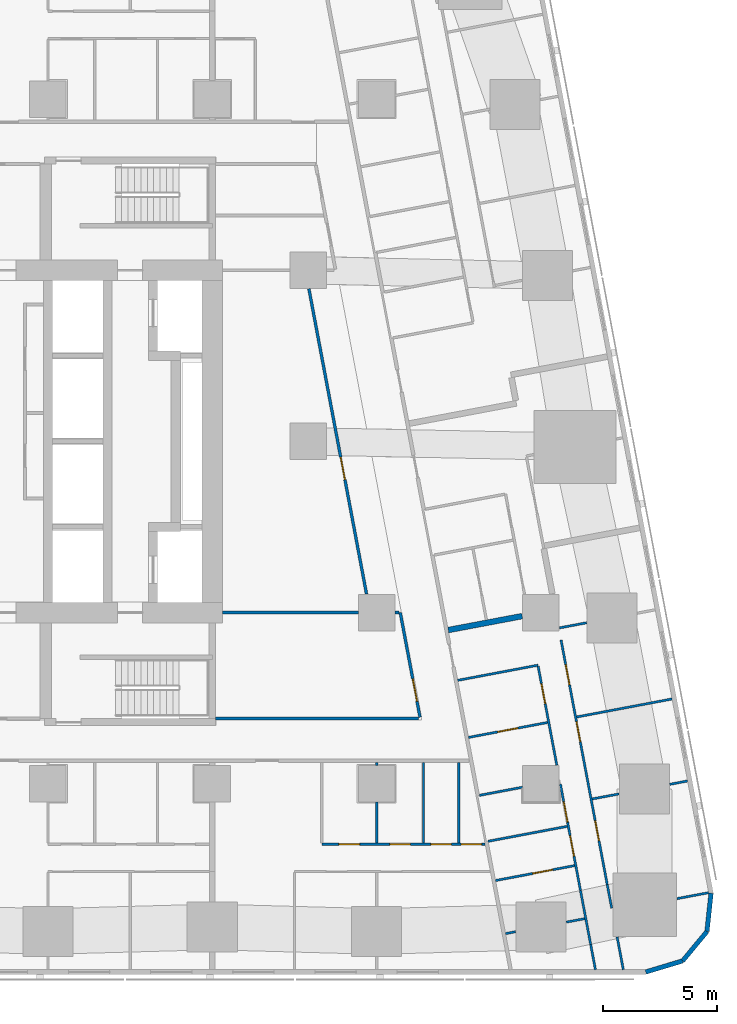
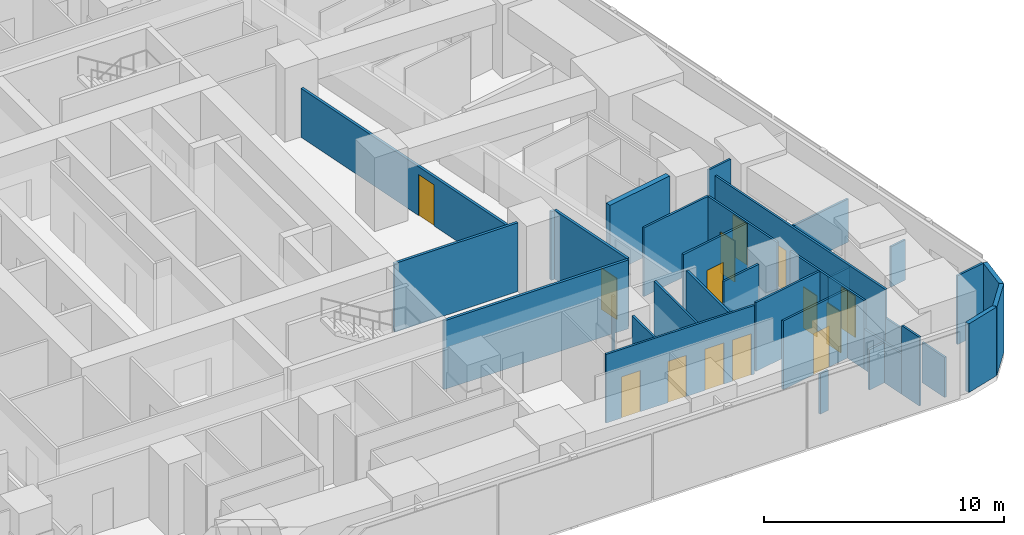
# One storey, part 7 of 17: 33 walls, 14 doors, 14 openings.
"""IFC4 building model written with IfcOpenShell, lengths in metres."""

from ifc_helpers import new_model, si_unit, direction, frame, frame_2d, origin, place, context, subcontext, project, spatial, rectangle, extrude, material, layer, layer_set, type_object, element, fill, save


model = new_model("IFC4")

# Units and contexts
model_context = context("Model", 3, precision=1e-05, world=origin(), true_north=direction((0.0, 1.0)))
body_context = subcontext(model_context, "Body", "Model", "MODEL_VIEW")
ifc_project = project(units=[si_unit("LENGTHUNIT", "METRE"), si_unit("AREAUNIT", "SQUARE_METRE"), si_unit("VOLUMEUNIT", "CUBIC_METRE"), si_unit("PLANEANGLEUNIT", "RADIAN"), si_unit("MASSUNIT", "GRAM", prefix="KILO")], contexts=[model_context])

# Site, building, storey
site_placement = place(None, origin())
site = spatial("IfcSite", under=ifc_project, at=site_placement, CompositionType="ELEMENT")
building_placement = place(site_placement, origin())
building = spatial("IfcBuilding", under=site, at=building_placement, Name="Sheger Commons Tower", CompositionType="ELEMENT")
storey_placement = place(building_placement, frame((0.0, 0.0, 119.14990234375)))
storey = spatial("IfcBuildingStorey", under=building, at=storey_placement, Name="L30", CompositionType="ELEMENT", Elevation=119.14990234375)

# Walls
ifc_material_1 = material(Name="Dense concrete block masonry, plastered both sides (separating wall between flats)", Category="masonry")
ifc_layer_1 = layer(ifc_material_1, 0.25)
ifc_layer_set_1 = layer_set([ifc_layer_1], Name="DEMISING WALL 250")
wall_type_1 = type_object("IfcWallType", Name="DEMISING WALL 250", PredefinedType="SOLIDWALL", material=ifc_layer_set_1)
wall_1_placement = place(storey_placement, frame((42.3759765625, 14.843994140625, 0.0), z_axis=(0.0, 0.0, 1.0), x_axis=(-0.982610440948, -0.18567908159, 0.0)))
element("IfcWall", 1, at=wall_1_placement, inside=storey, type_object=wall_type_1, Name="Demising wall L30", PredefinedType="SOLIDWALL", context=body_context, shape_type="SweptSolid", body=[
    extrude(rectangle(XDim=3.29638671875, YDim=0.25, at=frame_2d((1.648193359375, 0.0))), origin(), (0.0, 0.0, 1.0), 3.5),
])
ifc_material_2 = material(Name="Rendered concrete block masonry, dark grey", Category="masonry")
ifc_layer_2 = layer(ifc_material_2, 0.199951171875)
ifc_layer_set_2 = layer_set([ifc_layer_2], Name="FACADE WALL 200")
wall_type_2 = type_object("IfcWallType", Name="FACADE WALL 200", PredefinedType="SOLIDWALL", material=ifc_layer_set_2)
wall_2_placement = place(storey_placement, frame((47.791015625, -0.75, 0.0), z_axis=(0.0, 0.0, 1.0), x_axis=(0.957455232626, 0.288581838509, 0.0)))
element("IfcWall", 2, at=wall_2_placement, inside=storey, type_object=wall_type_2, Name="Facade wall L30", PredefinedType="SOLIDWALL", context=body_context, shape_type="SweptSolid", body=[
    extrude(rectangle(XDim=1.687744140625, YDim=0.199951171875, at=frame_2d((0.84375, 0.0))), origin(), (0.0, 0.0, 1.0), 3.5),
])
wall_3_placement = place(storey_placement, frame((49.406982421875, -0.262939453125, 0.0), z_axis=(0.0, 0.0, 1.0), x_axis=(0.638042593423, 0.770001070764, 0.0)))
element("IfcWall", 3, at=wall_3_placement, inside=storey, type_object=wall_type_2, Name="Facade wall L30", PredefinedType="SOLIDWALL", context=body_context, shape_type="SweptSolid", body=[
    extrude(rectangle(XDim=1.672607421875, YDim=0.199951171875, at=frame_2d((0.83642578125, 0.0))), origin(), (0.0, 0.0, 1.0), 3.5),
])
wall_4_placement = place(storey_placement, frame((50.47412109375, 1.02490234375, 0.0), z_axis=(0.0, 0.0, 1.0), x_axis=(0.106047815515, 0.994361031429, 0.0)))
element("IfcWall", 4, at=wall_4_placement, inside=storey, type_object=wall_type_2, Name="Facade wall L30", PredefinedType="SOLIDWALL", context=body_context, shape_type="SweptSolid", body=[
    extrude(rectangle(XDim=1.6875, YDim=0.199951171875, at=frame_2d((0.84375, 0.0))), origin(), (0.0, 0.0, 1.0), 3.5),
])

# Wall, openings, doors
ifc_material_3 = material(Name="Gypsum board on steel studs", Category="steel")
ifc_layer_3 = layer(ifc_material_3, 0.10009765625)
ifc_layer_set_3 = layer_set([ifc_layer_3], Name="PARTITION 100")
wall_type_3 = type_object("IfcWallType", Name="PARTITION 100", PredefinedType="PARTITIONING", material=ifc_layer_set_3)
wall_5_placement = place(storey_placement, frame((40.7470703125, 4.85009765625, 0.0), z_axis=(0.0, 0.0, 1.0), x_axis=(-1.0, 0.0, 0.0)))
wall_5 = element("IfcWall", 5, at=wall_5_placement, inside=storey, type_object=wall_type_3, Name="Partition L30", PredefinedType="PARTITIONING", context=body_context, shape_type="SweptSolid", body=[
    extrude(rectangle(XDim=7.14794921875, YDim=0.10009765625, at=frame_2d((3.573974609375, 0.0))), origin(), (0.0, 0.0, 1.0), 3.5),
])
opening_1_placement = place(wall_5_placement, frame((5.498046875, 0.0, 0.0)))
opening_1 = element("IfcOpeningElement", 6, at=opening_1_placement, cuts=wall_5, Name="Opening D2", PredefinedType="OPENING", context=body_context, shape_type="SweptSolid", body=[
    extrude(rectangle(XDim=0.89990234375, YDim=2.10009765625, at=frame_2d((0.449951171875, 1.050048828125))), frame((0.0, 0.06005859375, 0.0), z_axis=(0.0, -1.0, 0.0), x_axis=(1.0, 0.0, 0.0)), (0.0, 0.0, 1.0), 0.1201171875),
])
opening_2_placement = place(wall_5_placement, frame((3.27197265625, 0.0, 0.0)))
opening_2 = element("IfcOpeningElement", 7, at=opening_2_placement, cuts=wall_5, Name="Opening D2", PredefinedType="OPENING", context=body_context, shape_type="SweptSolid", body=[
    extrude(rectangle(XDim=0.89990234375, YDim=2.10009765625, at=frame_2d((0.449951171875, 1.050048828125))), frame((0.0, 0.06005859375, 0.0), z_axis=(0.0, -1.0, 0.0), x_axis=(1.0, 0.0, 0.0)), (0.0, 0.0, 1.0), 0.1201171875),
])
opening_3_placement = place(wall_5_placement, frame((0.14990234375, 0.0, 0.0)))
opening_3 = element("IfcOpeningElement", 8, at=opening_3_placement, cuts=wall_5, Name="Opening D2", PredefinedType="OPENING", context=body_context, shape_type="SweptSolid", body=[
    extrude(rectangle(XDim=0.89990234375, YDim=2.10009765625, at=frame_2d((0.449951171875, 1.050048828125))), frame((0.0, 0.06005859375, 0.0), z_axis=(0.0, -1.0, 0.0), x_axis=(1.0, 0.0, 0.0)), (0.0, 0.0, 1.0), 0.1201171875),
])
opening_4_placement = place(wall_5_placement, frame((1.471923828125, 0.0, 0.0)))
opening_4 = element("IfcOpeningElement", 9, at=opening_4_placement, cuts=wall_5, Name="Opening D2", PredefinedType="OPENING", context=body_context, shape_type="SweptSolid", body=[
    extrude(rectangle(XDim=0.89990234375, YDim=2.10009765625, at=frame_2d((0.449951171875, 1.050048828125))), frame((0.0, 0.06005859375, 0.0), z_axis=(0.0, -1.0, 0.0), x_axis=(1.0, 0.0, 0.0)), (0.0, 0.0, 1.0), 0.1201171875),
])
ifc_material_4 = material(Name="Timber door set", Category="wood")
door_type_1 = type_object("IfcDoorType", Name="INTERNAL DOOR 900x2100", OperationType="NOTDEFINED", PredefinedType="DOOR", material=ifc_material_4)
door_1_placement = place(opening_1_placement, origin())
door_1 = element("IfcDoor", 10, at=door_1_placement, inside=storey, type_object=door_type_1, Name="Laundry room door", OperationType="SINGLE_SWING_LEFT", OverallHeight=2.10009765625, OverallWidth=0.89990234375, PredefinedType="DOOR", context=body_context, shape_type="SweptSolid", body=[
    extrude(rectangle(XDim=0.89990234375, YDim=2.10009765625, at=frame_2d((0.449951171875, 1.050048828125))), frame((0.0, 0.02490234375, 0.0), z_axis=(0.0, -1.0, 0.0), x_axis=(1.0, 0.0, 0.0)), (0.0, 0.0, 1.0), 0.050048828125),
])
fill(opening_1, door_1)
door_2_placement = place(opening_2_placement, origin())
door_2 = element("IfcDoor", 11, at=door_2_placement, inside=storey, type_object=door_type_1, Name="Bathroom door", OperationType="SINGLE_SWING_LEFT", OverallHeight=2.10009765625, OverallWidth=0.89990234375, PredefinedType="DOOR", context=body_context, shape_type="SweptSolid", body=[
    extrude(rectangle(XDim=0.89990234375, YDim=2.10009765625, at=frame_2d((0.449951171875, 1.050048828125))), frame((0.0, 0.02490234375, 0.0), z_axis=(0.0, -1.0, 0.0), x_axis=(1.0, 0.0, 0.0)), (0.0, 0.0, 1.0), 0.050048828125),
])
fill(opening_2, door_2)
door_3_placement = place(opening_3_placement, origin())
door_3 = element("IfcDoor", 12, at=door_3_placement, inside=storey, type_object=door_type_1, Name="Laundry room door", OperationType="SINGLE_SWING_RIGHT", OverallHeight=2.10009765625, OverallWidth=0.89990234375, PredefinedType="DOOR", context=body_context, shape_type="SweptSolid", body=[
    extrude(rectangle(XDim=0.89990234375, YDim=2.10009765625, at=frame_2d((0.449951171875, 1.050048828125))), frame((0.0, 0.02490234375, 0.0), z_axis=(0.0, -1.0, 0.0), x_axis=(1.0, 0.0, 0.0)), (0.0, 0.0, 1.0), 0.050048828125),
])
fill(opening_3, door_3)
door_4_placement = place(opening_4_placement, origin())
door_4 = element("IfcDoor", 13, at=door_4_placement, inside=storey, type_object=door_type_1, Name="Store door", OperationType="SINGLE_SWING_RIGHT", OverallHeight=2.10009765625, OverallWidth=0.89990234375, PredefinedType="DOOR", context=body_context, shape_type="SweptSolid", body=[
    extrude(rectangle(XDim=0.89990234375, YDim=2.10009765625, at=frame_2d((0.449951171875, 1.050048828125))), frame((0.0, 0.02490234375, 0.0), z_axis=(0.0, -1.0, 0.0), x_axis=(1.0, 0.0, 0.0)), (0.0, 0.0, 1.0), 0.050048828125),
])
fill(opening_4, door_4)

# Walls
wall_6_placement = place(storey_placement, frame((36.0, 4.89990234375, 0.0), z_axis=(0.0, 0.0, 1.0), x_axis=(0.0, 1.0, 0.0)))
element("IfcWall", 14, at=wall_6_placement, inside=storey, type_object=wall_type_3, Name="Partition L30", PredefinedType="PARTITIONING", context=body_context, shape_type="SweptSolid", body=[
    extrude(rectangle(XDim=1.799072265625, YDim=0.10009765625, at=frame_2d((0.8994140625, 0.0))), origin(), (0.0, 0.0, 1.0), 3.5),
])
wall_7_placement = place(storey_placement, frame((36.0, 8.301025390625, 0.0), z_axis=(0.0, 0.0, 1.0), x_axis=(0.0, 1.0, 0.0)))
element("IfcWall", 15, at=wall_7_placement, inside=storey, type_object=wall_type_3, Name="Partition L30", PredefinedType="PARTITIONING", context=body_context, shape_type="SweptSolid", body=[
    extrude(rectangle(XDim=0.1240234375, YDim=0.10009765625, at=frame_2d((0.06201171875, 0.0))), origin(), (0.0, 0.0, 1.0), 3.5),
])
for number, where, z_axis, x_axis, name in (
    (16, (39.60009765625, 4.89990234375, 0.0), (0.0, 0.0, 1.0), (0.0, 1.0, 0.0), "Partition L30"),
    (17, (38.050048828125, 4.89990234375, 0.0), (0.0, 0.0, 1.0), (0.0, 1.0, 0.0), "Partition L30"),
):
    element("IfcWall", number, at=place(storey_placement, frame(where, z_axis=z_axis, x_axis=x_axis)), inside=storey, type_object=wall_type_3, Name=name, PredefinedType="PARTITIONING", context=body_context, shape_type="SweptSolid", body=[
        extrude(rectangle(XDim=3.525146484375, YDim=0.10009765625, at=frame_2d((1.7626953125, 0.0))), origin(), (0.0, 0.0, 1.0), 3.5),
    ])

# Wall, openings, doors
wall_8_placement = place(storey_placement, frame((44.080078125, 13.7939453125, 0.0), z_axis=(0.0, 0.0, 1.0), x_axis=(0.185608455357, -0.982623784212, 0.0)))
wall_8 = element("IfcWall", 18, at=wall_8_placement, inside=storey, type_object=wall_type_3, Name="Partition L30", PredefinedType="PARTITIONING", context=body_context, shape_type="SweptSolid", body=[
    extrude(rectangle(XDim=10.909423828125, YDim=0.10009765625, at=frame_2d((5.45458984375, 0.0))), origin(), (0.0, 0.0, 1.0), 3.5),
])
opening_5_placement = place(wall_8_placement, frame((1.093994140625, 0.0, 0.0)))
opening_5 = element("IfcOpeningElement", 19, at=opening_5_placement, cuts=wall_8, Name="Opening D2", PredefinedType="OPENING", context=body_context, shape_type="SweptSolid", body=[
    extrude(rectangle(XDim=0.89990234375, YDim=2.10009765625, at=frame_2d((0.449951171875, 1.050048828125))), frame((0.0, 0.06005859375, 0.0), z_axis=(0.0, -1.0, 0.0), x_axis=(1.0, 0.0, 0.0)), (0.0, 0.0, 1.0), 0.1201171875),
])
opening_6_placement = place(wall_8_placement, frame((3.638916015625, 0.0, 0.0)))
opening_6 = element("IfcOpeningElement", 20, at=opening_6_placement, cuts=wall_8, Name="Opening D2", PredefinedType="OPENING", context=body_context, shape_type="SweptSolid", body=[
    extrude(rectangle(XDim=0.89990234375, YDim=2.10009765625, at=frame_2d((0.449951171875, 1.050048828125))), frame((0.0, 0.06005859375, 0.0), z_axis=(0.0, -1.0, 0.0), x_axis=(1.0, 0.0, 0.0)), (0.0, 0.0, 1.0), 0.1201171875),
])
opening_7_placement = place(wall_8_placement, frame((8.050048828125, 0.0, 0.0)))
opening_7 = element("IfcOpeningElement", 21, at=opening_7_placement, cuts=wall_8, Name="Opening D2", PredefinedType="OPENING", context=body_context, shape_type="SweptSolid", body=[
    extrude(rectangle(XDim=0.89990234375, YDim=2.10009765625, at=frame_2d((0.449951171875, 1.050048828125))), frame((0.0, 0.06005859375, 0.0), z_axis=(0.0, -1.0, 0.0), x_axis=(1.0, 0.0, 0.0)), (0.0, 0.0, 1.0), 0.1201171875),
])
door_5_placement = place(opening_5_placement, origin())
door_5 = element("IfcDoor", 22, at=door_5_placement, inside=storey, type_object=door_type_1, Name="Main bedroom door", OperationType="SINGLE_SWING_LEFT", OverallHeight=2.10009765625, OverallWidth=0.89990234375, PredefinedType="DOOR", context=body_context, shape_type="SweptSolid", body=[
    extrude(rectangle(XDim=0.89990234375, YDim=2.10009765625, at=frame_2d((0.449951171875, 1.050048828125))), frame((0.0, 0.02490234375, 0.0), z_axis=(0.0, -1.0, 0.0), x_axis=(1.0, 0.0, 0.0)), (0.0, 0.0, 1.0), 0.050048828125),
])
fill(opening_5, door_5)
door_6_placement = place(opening_6_placement, origin())
door_6 = element("IfcDoor", 23, at=door_6_placement, inside=storey, type_object=door_type_1, Name="Bedroom 2 door", OperationType="SINGLE_SWING_LEFT", OverallHeight=2.10009765625, OverallWidth=0.89990234375, PredefinedType="DOOR", context=body_context, shape_type="SweptSolid", body=[
    extrude(rectangle(XDim=0.89990234375, YDim=2.10009765625, at=frame_2d((0.449951171875, 1.050048828125))), frame((0.0, 0.02490234375, 0.0), z_axis=(0.0, -1.0, 0.0), x_axis=(1.0, 0.0, 0.0)), (0.0, 0.0, 1.0), 0.050048828125),
])
fill(opening_6, door_6)
door_7_placement = place(opening_7_placement, origin())
door_7 = element("IfcDoor", 24, at=door_7_placement, inside=storey, type_object=door_type_1, Name="Bedroom 3 door", OperationType="SINGLE_SWING_LEFT", OverallHeight=2.10009765625, OverallWidth=0.89990234375, PredefinedType="DOOR", context=body_context, shape_type="SweptSolid", body=[
    extrude(rectangle(XDim=0.89990234375, YDim=2.10009765625, at=frame_2d((0.449951171875, 1.050048828125))), frame((0.0, 0.02490234375, 0.0), z_axis=(0.0, -1.0, 0.0), x_axis=(1.0, 0.0, 0.0)), (0.0, 0.0, 1.0), 0.050048828125),
])
fill(opening_7, door_7)

# Walls
wall_9_placement = place(storey_placement, frame((46.10498046875, 3.073974609375, 0.0), z_axis=(0.0, 0.0, 1.0), x_axis=(0.185727077805, -0.982601370124, 0.0)))
element("IfcWall", 25, at=wall_9_placement, inside=storey, type_object=wall_type_3, Name="Partition L30", PredefinedType="PARTITIONING", context=body_context, shape_type="SweptSolid", body=[
    extrude(rectangle(XDim=1.044921875, YDim=0.10009765625, at=frame_2d((0.5224609375, 0.0))), origin(), (0.0, 0.0, 1.0), 2.050048828125),
])
wall_10_placement = place(storey_placement, frame((46.537109375, 0.787109375, 0.0), z_axis=(0.0, 0.0, 1.0), x_axis=(0.1853166059, -0.982678866964, 0.0)))
element("IfcWall", 26, at=wall_10_placement, inside=storey, type_object=wall_type_3, Name="Partition L30", PredefinedType="PARTITIONING", context=body_context, shape_type="SweptSolid", body=[
    extrude(rectangle(XDim=1.46240234375, YDim=0.10009765625, at=frame_2d((0.731201171875, 0.0))), origin(), (0.0, 0.0, 1.0), 2.050048828125),
])

# Wall, opening, door
wall_11_placement = place(storey_placement, frame((43.075927734375, 12.64404296875, 0.0), z_axis=(0.0, 0.0, 1.0), x_axis=(0.185705350074, -0.982605476757, 0.0)))
wall_11 = element("IfcWall", 27, at=wall_11_placement, inside=storey, type_object=wall_type_3, Name="Partition L30", PredefinedType="PARTITIONING", context=body_context, shape_type="SweptSolid", body=[
    extrude(rectangle(XDim=4.41064453125, YDim=0.10009765625, at=frame_2d((2.205322265625, 0.0))), origin(), (0.0, 0.0, 1.0), 3.5),
])
opening_8_placement = place(wall_11_placement, frame((0.77294921875, 0.0, 0.0)))
opening_8 = element("IfcOpeningElement", 28, at=opening_8_placement, cuts=wall_11, Name="Opening D2", PredefinedType="OPENING", context=body_context, shape_type="SweptSolid", body=[
    extrude(rectangle(XDim=0.89990234375, YDim=2.10009765625, at=frame_2d((0.449951171875, 1.050048828125))), frame((0.0, 0.06005859375, 0.0), z_axis=(0.0, -1.0, 0.0), x_axis=(1.0, 0.0, 0.0)), (0.0, 0.0, 1.0), 0.1201171875),
])
door_8_placement = place(opening_8_placement, origin())
door_8 = element("IfcDoor", 29, at=door_8_placement, inside=storey, type_object=door_type_1, Name="Store and laundry door", OperationType="SINGLE_SWING_RIGHT", OverallHeight=2.10009765625, OverallWidth=0.89990234375, PredefinedType="DOOR", context=body_context, shape_type="SweptSolid", body=[
    extrude(rectangle(XDim=0.89990234375, YDim=2.10009765625, at=frame_2d((0.449951171875, 1.050048828125))), frame((0.0, 0.02490234375, 0.0), z_axis=(0.0, -1.0, 0.0), x_axis=(1.0, 0.0, 0.0)), (0.0, 0.0, 1.0), 0.050048828125),
])
fill(opening_8, door_8)

# Wall, openings, doors
wall_12_placement = place(storey_placement, frame((44.049072265625, 7.490966796875, 0.0), z_axis=(0.0, 0.0, 1.0), x_axis=(0.185628828844, -0.982619935632, 0.0)))
wall_12 = element("IfcWall", 30, at=wall_12_placement, inside=storey, type_object=wall_type_3, Name="Partition L30", PredefinedType="PARTITIONING", context=body_context, shape_type="SweptSolid", body=[
    extrude(rectangle(XDim=4.75048828125, YDim=0.10009765625, at=frame_2d((2.375244140625, 0.0))), origin(), (0.0, 0.0, 1.0), 3.5),
])
opening_9_placement = place(wall_12_placement, frame((0.800048828125, 0.0, 0.0)))
opening_9 = element("IfcOpeningElement", 31, at=opening_9_placement, cuts=wall_12, Name="Opening D2", PredefinedType="OPENING", context=body_context, shape_type="SweptSolid", body=[
    extrude(rectangle(XDim=0.89990234375, YDim=2.10009765625, at=frame_2d((0.449951171875, 1.050048828125))), frame((0.0, 0.06005859375, 0.0), z_axis=(0.0, -1.0, 0.0), x_axis=(1.0, 0.0, 0.0)), (0.0, 0.0, 1.0), 0.1201171875),
])
opening_10_placement = place(wall_12_placement, frame((2.31591796875, 0.0, 0.0)))
opening_10 = element("IfcOpeningElement", 32, at=opening_10_placement, cuts=wall_12, Name="Opening D2", PredefinedType="OPENING", context=body_context, shape_type="SweptSolid", body=[
    extrude(rectangle(XDim=0.89990234375, YDim=2.10009765625, at=frame_2d((0.449951171875, 1.050048828125))), frame((0.0, 0.06005859375, 0.0), z_axis=(0.0, -1.0, 0.0), x_axis=(1.0, 0.0, 0.0)), (0.0, 0.0, 1.0), 0.1201171875),
])
door_9_placement = place(opening_9_placement, origin())
door_9 = element("IfcDoor", 33, at=door_9_placement, inside=storey, type_object=door_type_1, Name="Bathroom door", OperationType="SINGLE_SWING_LEFT", OverallHeight=2.10009765625, OverallWidth=0.89990234375, PredefinedType="DOOR", context=body_context, shape_type="SweptSolid", body=[
    extrude(rectangle(XDim=0.89990234375, YDim=2.10009765625, at=frame_2d((0.449951171875, 1.050048828125))), frame((0.0, 0.02490234375, 0.0), z_axis=(0.0, -1.0, 0.0), x_axis=(1.0, 0.0, 0.0)), (0.0, 0.0, 1.0), 0.050048828125),
])
fill(opening_9, door_9)
door_10_placement = place(opening_10_placement, origin())
door_10 = element("IfcDoor", 34, at=door_10_placement, inside=storey, type_object=door_type_1, Name="Store door", OperationType="SINGLE_SWING_RIGHT", OverallHeight=2.10009765625, OverallWidth=0.89990234375, PredefinedType="DOOR", context=body_context, shape_type="SweptSolid", body=[
    extrude(rectangle(XDim=0.89990234375, YDim=2.10009765625, at=frame_2d((0.449951171875, 1.050048828125))), frame((0.0, 0.02490234375, 0.0), z_axis=(0.0, -1.0, 0.0), x_axis=(1.0, 0.0, 0.0)), (0.0, 0.0, 1.0), 0.050048828125),
])
fill(opening_10, door_10)

# Walls
wall_13_placement = place(storey_placement, frame((44.930908203125, 2.822998046875, 0.0), z_axis=(0.0, 0.0, 1.0), x_axis=(0.185631845838, -0.982619365681, 0.0)))
element("IfcWall", 35, at=wall_13_placement, inside=storey, type_object=wall_type_3, Name="Partition L30", PredefinedType="PARTITIONING", context=body_context, shape_type="SweptSolid", body=[
    extrude(rectangle(XDim=2.40283203125, YDim=0.10009765625, at=frame_2d((1.201416015625, 0.0))), origin(), (0.0, 0.0, 1.0), 2.050048828125),
])
wall_14_placement = place(storey_placement, frame((45.376953125, 0.4619140625, 0.0), z_axis=(0.0, 0.0, 1.0), x_axis=(0.185565106588, -0.9826319714, 0.0)))
element("IfcWall", 36, at=wall_14_placement, inside=storey, type_object=wall_type_3, Name="Partition L30", PredefinedType="PARTITIONING", context=body_context, shape_type="SweptSolid", body=[
    extrude(rectangle(XDim=1.13134765625, YDim=0.10009765625, at=frame_2d((0.565673828125, 0.0))), origin(), (0.0, 0.0, 1.0), 3.5),
])
wall_15_placement = place(storey_placement, frame((45.2041015625, 14.552978515625, 0.0), z_axis=(0.0, 0.0, 1.0), x_axis=(-0.982545444659, -0.186022711461, 0.0)))
element("IfcWall", 37, at=wall_15_placement, inside=storey, type_object=wall_type_3, Name="Partition L30", PredefinedType="PARTITIONING", context=body_context, shape_type="SweptSolid", body=[
    extrude(rectangle(XDim=1.21533203125, YDim=0.10009765625, at=frame_2d((0.607666015625, 0.0))), origin(), (0.0, 0.0, 1.0), 3.5),
])
wall_16_placement = place(storey_placement, frame((48.943115234375, 11.212890625, 0.0), z_axis=(0.0, 0.0, 1.0), x_axis=(-0.982623519589, -0.185609856287, 0.0)))
element("IfcWall", 38, at=wall_16_placement, inside=storey, type_object=wall_type_3, Name="Partition L30", PredefinedType="PARTITIONING", context=body_context, shape_type="SweptSolid", body=[
    extrude(rectangle(XDim=4.249755859375, YDim=0.10009765625, at=frame_2d((2.125, 0.0))), origin(), (0.0, 0.0, 1.0), 2.2001953125),
])
wall_17_placement = place(storey_placement, frame((49.6220703125, 7.6201171875, 0.0), z_axis=(0.0, 0.0, 1.0), x_axis=(-0.982512656401, -0.186195810938, 0.0)))
element("IfcWall", 39, at=wall_17_placement, inside=storey, type_object=wall_type_3, Name="Partition L30", PredefinedType="PARTITIONING", context=body_context, shape_type="SweptSolid", body=[
    extrude(rectangle(XDim=0.7958984375, YDim=0.10009765625, at=frame_2d((0.39794921875, 0.0))), origin(), (0.0, 0.0, 1.0), 2.050048828125),
])
wall_18_placement = place(storey_placement, frame((46.6201171875, 7.052978515625, 0.0), z_axis=(0.0, 0.0, 1.0), x_axis=(-0.982749355621, -0.18494243436, 0.0)))
element("IfcWall", 40, at=wall_18_placement, inside=storey, type_object=wall_type_3, Name="Partition L30", PredefinedType="PARTITIONING", context=body_context, shape_type="SweptSolid", body=[
    extrude(rectangle(XDim=1.194580078125, YDim=0.10009765625, at=frame_2d((0.59716796875, 0.0))), origin(), (0.0, 0.0, 1.0), 2.050048828125),
])
wall_19_placement = place(storey_placement, frame((50.547119140625, 2.72607421875, 0.0), z_axis=(0.0, 0.0, 1.0), x_axis=(-0.982680053146, -0.185310315822, 0.0)))
element("IfcWall", 41, at=wall_19_placement, inside=storey, type_object=wall_type_3, Name="Partition L30", PredefinedType="PARTITIONING", context=body_context, shape_type="SweptSolid", body=[
    extrude(rectangle(XDim=1.41357421875, YDim=0.10009765625, at=frame_2d((0.706787109375, 0.0))), origin(), (0.0, 0.0, 1.0), 3.5),
])
wall_20_placement = place(storey_placement, frame((43.06689453125, 12.693115234375, 0.0), z_axis=(0.0, 0.0, 1.0), x_axis=(-0.982598214409, -0.185743772548, 0.0)))
element("IfcWall", 42, at=wall_20_placement, inside=storey, type_object=wall_type_3, Name="Partition L30", PredefinedType="PARTITIONING", context=body_context, shape_type="SweptSolid", body=[
    extrude(rectangle(XDim=3.5751953125, YDim=0.10009765625, at=frame_2d((1.78759765625, 0.0))), origin(), (0.0, 0.0, 1.0), 3.5),
])

# Wall, opening, door
wall_21_placement = place(storey_placement, frame((43.489990234375, 10.18310546875, 0.0), z_axis=(0.0, 0.0, 1.0), x_axis=(-0.982588017646, -0.185797706064, 0.0)))
wall_21 = element("IfcWall", 43, at=wall_21_placement, inside=storey, type_object=wall_type_3, Name="Partition L30", PredefinedType="PARTITIONING", context=body_context, shape_type="SweptSolid", body=[
    extrude(rectangle(XDim=3.525390625, YDim=0.10009765625, at=frame_2d((1.7626953125, 0.0))), origin(), (0.0, 0.0, 1.0), 3.5),
])
opening_11_placement = place(wall_21_placement, frame((1.324951171875, 0.0, 0.0)))
opening_11 = element("IfcOpeningElement", 44, at=opening_11_placement, cuts=wall_21, Name="Opening D2", PredefinedType="OPENING", context=body_context, shape_type="SweptSolid", body=[
    extrude(rectangle(XDim=0.89990234375, YDim=2.10009765625, at=frame_2d((0.449951171875, 1.050048828125))), frame((0.0, 0.06005859375, 0.0), z_axis=(0.0, -1.0, 0.0), x_axis=(1.0, 0.0, 0.0)), (0.0, 0.0, 1.0), 0.1201171875),
])
door_11_placement = place(opening_11_placement, origin())
door_11 = element("IfcDoor", 45, at=door_11_placement, inside=storey, type_object=door_type_1, Name="Store door", OperationType="SINGLE_SWING_RIGHT", OverallHeight=2.10009765625, OverallWidth=0.89990234375, PredefinedType="DOOR", context=body_context, shape_type="SweptSolid", body=[
    extrude(rectangle(XDim=0.89990234375, YDim=2.10009765625, at=frame_2d((0.449951171875, 1.050048828125))), frame((0.0, 0.02490234375, 0.0), z_axis=(0.0, -1.0, 0.0), x_axis=(1.0, 0.0, 0.0)), (0.0, 0.0, 1.0), 0.050048828125),
])
fill(opening_11, door_11)

# Walls
wall_22_placement = place(storey_placement, frame((42.389892578125, 7.346923828125, 0.0), z_axis=(0.0, 0.0, 1.0), x_axis=(-0.982633642782, -0.185556255819, 0.0)))
element("IfcWall", 46, at=wall_22_placement, inside=storey, type_object=wall_type_3, Name="Partition L30", PredefinedType="PARTITIONING", context=body_context, shape_type="SweptSolid", body=[
    extrude(rectangle(XDim=1.918212890625, YDim=0.10009765625, at=frame_2d((0.958984375, 0.0))), origin(), (0.0, 0.0, 1.0), 3.5),
])
wall_23_placement = place(storey_placement, frame((45.114013671875, 1.5869140625, 0.0), z_axis=(0.0, 0.0, 1.0), x_axis=(-0.982624706348, -0.185603573443, 0.0)))
element("IfcWall", 47, at=wall_23_placement, inside=storey, type_object=wall_type_3, Name="Partition L30", PredefinedType="PARTITIONING", context=body_context, shape_type="SweptSolid", body=[
    extrude(rectangle(XDim=0.818115234375, YDim=0.10009765625, at=frame_2d((0.4091796875, 0.0))), origin(), (0.0, 0.0, 1.0), 2.050048828125),
])
wall_24_placement = place(storey_placement, frame((42.090087890625, 1.014892578125, 0.0), z_axis=(0.0, 0.0, 1.0), x_axis=(-0.982680384557, -0.185308558375, 0.0)))
element("IfcWall", 48, at=wall_24_placement, inside=storey, type_object=wall_type_3, Name="Partition L30", PredefinedType="PARTITIONING", context=body_context, shape_type="SweptSolid", body=[
    extrude(rectangle(XDim=0.447998046875, YDim=0.10009765625, at=frame_2d((0.22412109375, 0.0))), origin(), (0.0, 0.0, 1.0), 2.050048828125),
])
wall_25_placement = place(storey_placement, frame((44.35009765625, 5.631103515625, 0.0), z_axis=(0.0, 0.0, 1.0), x_axis=(-0.982638553676, -0.185530247748, 0.0)))
element("IfcWall", 49, at=wall_25_placement, inside=storey, type_object=wall_type_3, Name="Partition L30", PredefinedType="PARTITIONING", context=body_context, shape_type="SweptSolid", body=[
    extrude(rectangle(XDim=3.525390625, YDim=0.10009765625, at=frame_2d((1.7626953125, 0.0))), origin(), (0.0, 0.0, 1.0), 3.5),
])

# Wall, opening, door
wall_26_placement = place(storey_placement, frame((41.2099609375, 3.258056640625, 0.0), z_axis=(0.0, 0.0, 1.0), x_axis=(0.982638553676, 0.185530247748, 0.0)))
wall_26 = element("IfcWall", 50, at=wall_26_placement, inside=storey, type_object=wall_type_3, Name="Partition L30", PredefinedType="PARTITIONING", context=body_context, shape_type="SweptSolid", body=[
    extrude(rectangle(XDim=3.525390625, YDim=0.10009765625, at=frame_2d((1.7626953125, 0.0))), origin(), (0.0, 0.0, 1.0), 3.5),
])
opening_12_placement = place(wall_26_placement, frame((1.64990234375, 0.0, 0.0)))
opening_12 = element("IfcOpeningElement", 51, at=opening_12_placement, cuts=wall_26, Name="Opening D2", PredefinedType="OPENING", context=body_context, shape_type="SweptSolid", body=[
    extrude(rectangle(XDim=0.89990234375, YDim=2.10009765625, at=frame_2d((0.449951171875, 1.050048828125))), frame((0.0, 0.06005859375, 0.0), z_axis=(0.0, -1.0, 0.0), x_axis=(1.0, 0.0, 0.0)), (0.0, 0.0, 1.0), 0.1201171875),
])
door_12_placement = place(opening_12_placement, origin())
door_12 = element("IfcDoor", 52, at=door_12_placement, inside=storey, type_object=door_type_1, Name="Store door", OperationType="SINGLE_SWING_RIGHT", OverallHeight=2.10009765625, OverallWidth=0.89990234375, PredefinedType="DOOR", context=body_context, shape_type="SweptSolid", body=[
    extrude(rectangle(XDim=0.89990234375, YDim=2.10009765625, at=frame_2d((0.449951171875, 1.050048828125))), frame((0.0, 0.02490234375, 0.0), z_axis=(0.0, -1.0, 0.0), x_axis=(1.0, 0.0, 0.0)), (0.0, 0.0, 1.0), 0.050048828125),
])
fill(opening_12, door_12)

# Wall
ifc_material_5 = material(Name="Gypsum board on steel studs, two layers each side, fire rated", Category="steel")
ifc_layer_4 = layer(ifc_material_5, 0.125)
ifc_layer_set_4 = layer_set([ifc_layer_4], Name="SERVICE WALL 125")
wall_type_4 = type_object("IfcWallType", Name="SERVICE WALL 125", PredefinedType="PARTITIONING", material=ifc_layer_set_4)
wall_27_placement = place(storey_placement, frame((28.949951171875, 10.35009765625, 0.0), z_axis=(0.0, 0.0, 1.0), x_axis=(1.0, 0.0, 0.0)))
element("IfcWall", 53, at=wall_27_placement, inside=storey, type_object=wall_type_4, Name="Service room wall L30", PredefinedType="PARTITIONING", context=body_context, shape_type="SweptSolid", body=[
    extrude(rectangle(XDim=8.885986328125, YDim=0.125, at=frame_2d((4.44287109375, 0.0))), origin(), (0.0, 0.0, 1.0), 3.5),
])

# Wall, opening, door
wall_28_placement = place(storey_placement, frame((37.89990234375, 10.4130859375, 0.0), z_axis=(0.0, 0.0, 1.0), x_axis=(-0.185513629891, 0.982641691119, 0.0)))
wall_28 = element("IfcWall", 54, at=wall_28_placement, inside=storey, type_object=wall_type_4, Name="Service room wall L30", PredefinedType="PARTITIONING", context=body_context, shape_type="SweptSolid", body=[
    extrude(rectangle(XDim=4.66796875, YDim=0.125, at=frame_2d((2.333984375, 0.0))), origin(), (0.0, 0.0, 1.0), 3.5),
])
opening_13_placement = place(wall_28_placement, frame((0.7080078125, 0.0, 0.0)))
opening_13 = element("IfcOpeningElement", 55, at=opening_13_placement, cuts=wall_28, Name="Opening D4", PredefinedType="OPENING", context=body_context, shape_type="SweptSolid", body=[
    extrude(rectangle(XDim=1.0, YDim=2.10009765625, at=frame_2d((0.5, 1.050048828125))), frame((0.0, 0.072509765625, 0.0), z_axis=(0.0, -1.0, 0.0), x_axis=(1.0, 0.0, 0.0)), (0.0, 0.0, 1.0), 0.14501953125),
])
ifc_material_6 = material(Name="Steel door set, fire rated", Category="steel")
door_type_2 = type_object("IfcDoorType", Name="SERVICE DOOR 1000x2100", OperationType="NOTDEFINED", PredefinedType="DOOR", material=ifc_material_6)
door_13_placement = place(opening_13_placement, origin())
door_13 = element("IfcDoor", 56, at=door_13_placement, inside=storey, type_object=door_type_2, Name="Parcel and delivery room door", OperationType="SINGLE_SWING_LEFT", OverallHeight=2.10009765625, OverallWidth=1.0, PredefinedType="DOOR", context=body_context, shape_type="SweptSolid", body=[
    extrude(rectangle(XDim=1.0, YDim=2.10009765625, at=frame_2d((0.5, 1.050048828125))), frame((0.0, 0.02490234375, 0.0), z_axis=(0.0, -1.0, 0.0), x_axis=(1.0, 0.0, 0.0)), (0.0, 0.0, 1.0), 0.050048828125),
])
fill(opening_13, door_13)

wall_29_placement = place(storey_placement, frame((35.556884765625, 15.81298828125, 0.0), z_axis=(0.0, 0.0, 1.0), x_axis=(-0.185583681679, 0.982628463405, 0.0)))
wall_29 = element("IfcWall", 57, at=wall_29_placement, inside=storey, type_object=wall_type_4, Name="Service room wall L30", PredefinedType="PARTITIONING", context=body_context, shape_type="SweptSolid", body=[
    extrude(rectangle(XDim=13.6103515625, YDim=0.125, at=frame_2d((6.80517578125, 0.0))), origin(), (0.0, 0.0, 1.0), 2.5),
])
opening_14_placement = place(wall_29_placement, frame((5.10009765625, 0.0, 0.0)))
opening_14 = element("IfcOpeningElement", 58, at=opening_14_placement, cuts=wall_29, Name="Opening D4", PredefinedType="OPENING", context=body_context, shape_type="SweptSolid", body=[
    extrude(rectangle(XDim=1.0, YDim=2.10009765625, at=frame_2d((0.5, 1.050048828125))), frame((0.0, 0.072509765625, 0.0), z_axis=(0.0, -1.0, 0.0), x_axis=(1.0, 0.0, 0.0)), (0.0, 0.0, 1.0), 0.14501953125),
])
door_14_placement = place(opening_14_placement, origin())
door_14 = element("IfcDoor", 59, at=door_14_placement, inside=storey, type_object=door_type_2, Name="Residents' gym door", OperationType="SINGLE_SWING_LEFT", OverallHeight=2.10009765625, OverallWidth=1.0, PredefinedType="DOOR", context=body_context, shape_type="SweptSolid", body=[
    extrude(rectangle(XDim=1.0, YDim=2.10009765625, at=frame_2d((0.5, 1.050048828125))), frame((0.0, 0.02490234375, 0.0), z_axis=(0.0, -1.0, 0.0), x_axis=(1.0, 0.0, 0.0)), (0.0, 0.0, 1.0), 0.050048828125),
])
fill(opening_14, door_14)

# Walls
wall_30_placement = place(storey_placement, frame((29.25, 15.0, 0.0), z_axis=(0.0, 0.0, 1.0), x_axis=(1.0, 0.0, 0.0)))
element("IfcWall", 60, at=wall_30_placement, inside=storey, type_object=wall_type_4, Name="Service room wall L30", PredefinedType="PARTITIONING", context=body_context, shape_type="SweptSolid", body=[
    extrude(rectangle(XDim=5.948974609375, YDim=0.125, at=frame_2d((2.974609375, 0.0))), origin(), (0.0, 0.0, 1.0), 3.5),
])
wall_31_placement = place(storey_placement, frame((36.801025390625, 15.0, 0.0), z_axis=(0.0, 0.0, 1.0), x_axis=(1.0, 0.0, 0.0)))
element("IfcWall", 61, at=wall_31_placement, inside=storey, type_object=wall_type_4, Name="Service room wall L30", PredefinedType="PARTITIONING", context=body_context, shape_type="SweptSolid", body=[
    extrude(rectangle(XDim=0.171875, YDim=0.125, at=frame_2d((0.0859375, 0.0))), origin(), (0.0, 0.0, 1.0), 3.5),
])

save(model, "model.ifc")
